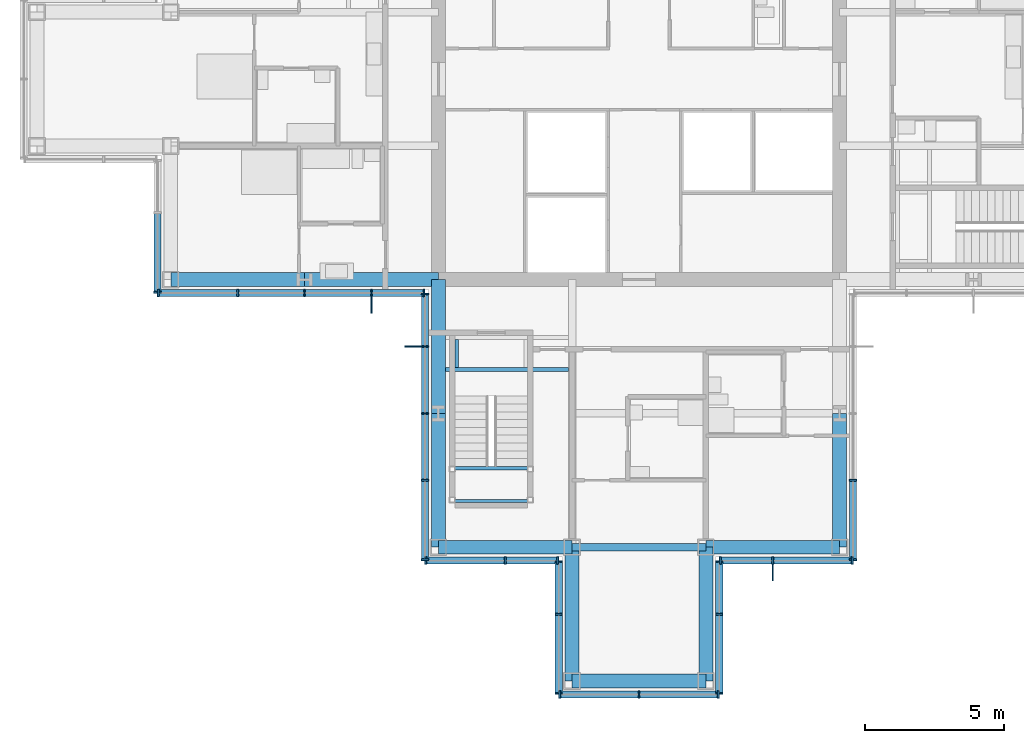
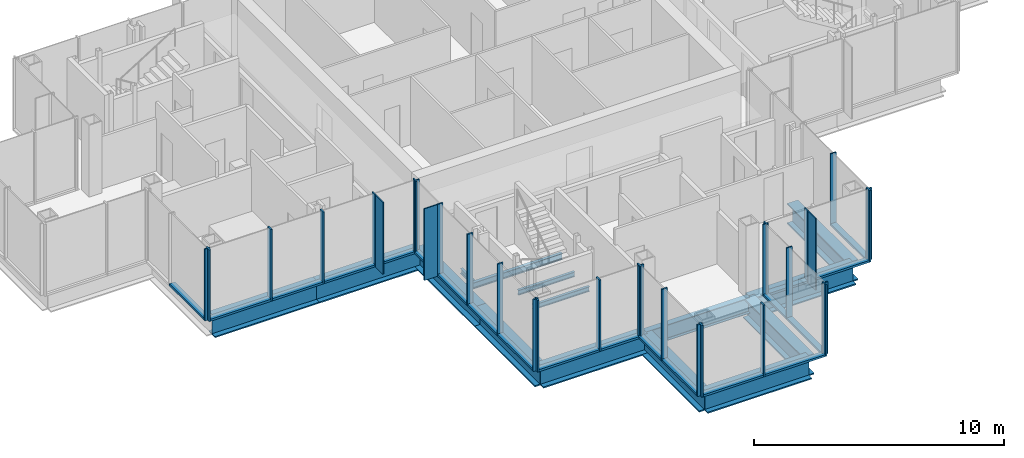
# One storey, part 5 of 15: 51 members, 15 beams, 9 elements without a shape of their own.
"""IFC4 building model written with IfcOpenShell, lengths in metres."""

from ifc_helpers import new_model, si_unit, direction, frame, origin, origin_2d, place, context, subcontext, project, spatial, rectangle, i_section, extrude, material, material_profile, profile_set, type_object, element, aggregate, save


model = new_model("IFC4")

# Units and contexts
model_context = context("Model", 3, precision=1e-05, world=origin(), true_north=direction((0.0, 1.0)))
body_context = subcontext(model_context, "Body", "Model", "MODEL_VIEW")
ifc_project = project(units=[si_unit("LENGTHUNIT", "METRE"), si_unit("AREAUNIT", "SQUARE_METRE"), si_unit("VOLUMEUNIT", "CUBIC_METRE"), si_unit("PLANEANGLEUNIT", "RADIAN"), si_unit("MASSUNIT", "GRAM", prefix="KILO")], contexts=[model_context])

# Site, building, storey
site_placement = place(None, origin())
site = spatial("IfcSite", under=ifc_project, at=site_placement, CompositionType="ELEMENT")
building_placement = place(site_placement, origin())
building = spatial("IfcBuilding", under=site, at=building_placement, Name="Kvirike Care Tower", CompositionType="ELEMENT")
storey_placement = place(building_placement, frame((0.0, 0.0, 212.0)))
storey = spatial("IfcBuildingStorey", under=building, at=storey_placement, Name="L58", CompositionType="ELEMENT", Elevation=212.0)

# Curtain wall, member
ifc_material_1 = material(Name="Anodised aluminium stick system", Category="aluminium")
curtain_wall_type = type_object("IfcCurtainWallType", Name="CW-D STICK CURTAIN WALL", PredefinedType="NOTDEFINED", material=ifc_material_1)
curtain_wall_1_placement = place(storey_placement, origin())
curtain_wall_1 = element("IfcCurtainWall", 1, at=curtain_wall_1_placement, inside=storey, type_object=curtain_wall_type, Name="Curtain wall L58 face 13", PredefinedType="NOTDEFINED")
ifc_material_2 = material(Name="Bronze anodised aluminium fin", Category="aluminium")
ifc_material_profile_1 = material_profile(ifc_material_2, rectangle(XDim=0.050048828125, YDim=0.60009765625, at=origin_2d()), Name="BRONZE FIN 600")
ifc_profile_set_1 = profile_set([ifc_material_profile_1], Name="Bronze anodised aluminium fin")
member_type_1 = type_object("IfcMemberType", Name="BRONZE FIN 600", PredefinedType="USERDEFINED", material=ifc_profile_set_1)
member_1_placement = place(storey_placement, frame((12.0, 27.889892578125, 0.0), z_axis=(0.0, 0.0, 1.0), x_axis=(1.0, 0.0, 0.0)))
member_1 = element("IfcMember", 2, at=member_1_placement, type_object=member_type_1, Name="Bronze fin L58 face 13.4", ObjectType="FIN", PredefinedType="USERDEFINED", context=body_context, shape_type="SweptSolid", body=[
    extrude(rectangle(XDim=0.050048828125, YDim=0.60009765625, at=origin_2d()), origin(), (0.0, 0.0, 1.0), 3.5),
])

curtain_wall_2_placement = place(storey_placement, origin())
curtain_wall_2 = element("IfcCurtainWall", 3, at=curtain_wall_2_placement, inside=storey, type_object=curtain_wall_type, Name="Curtain wall L58 face 14", PredefinedType="NOTDEFINED")
member_2_placement = place(storey_placement, frame((13.489990234375, 26.39990234375, 0.0), z_axis=(0.0, 0.0, 1.0), x_axis=(0.0, -1.0, 0.0)))
member_2 = element("IfcMember", 4, at=member_2_placement, type_object=member_type_1, Name="Bronze fin L58 face 14.2", ObjectType="FIN", PredefinedType="USERDEFINED", context=body_context, shape_type="SweptSolid", body=[
    extrude(rectangle(XDim=0.050048828125, YDim=0.60009765625, at=origin_2d()), origin(), (0.0, 0.0, 1.0), 3.5),
])

curtain_wall_3_placement = place(storey_placement, origin())
curtain_wall_3 = element("IfcCurtainWall", 5, at=curtain_wall_3_placement, inside=storey, type_object=curtain_wall_type, Name="Curtain wall L58 face 19", PredefinedType="NOTDEFINED")
member_3_placement = place(storey_placement, frame((26.39990234375, 18.2900390625, 0.0), z_axis=(0.0, 0.0, 1.0), x_axis=(1.0, 0.0, 0.0)))
member_3 = element("IfcMember", 6, at=member_3_placement, type_object=member_type_1, Name="Bronze fin L58 face 19.2", ObjectType="FIN", PredefinedType="USERDEFINED", context=body_context, shape_type="SweptSolid", body=[
    extrude(rectangle(XDim=0.050048828125, YDim=0.60009765625, at=origin_2d()), origin(), (0.0, 0.0, 1.0), 3.5),
])

curtain_wall_4_placement = place(storey_placement, origin())
curtain_wall_4 = element("IfcCurtainWall", 7, at=curtain_wall_4_placement, inside=storey, type_object=curtain_wall_type, Name="Curtain wall L58 face 12", PredefinedType="NOTDEFINED")
ifc_material_3 = material(Name="Bronze anodised aluminium mullion", Category="aluminium")
ifc_material_profile_2 = material_profile(ifc_material_3, rectangle(XDim=0.06494140625, YDim=0.260009765625, at=origin_2d()), Name="CW-D MULLION 65x260")
ifc_profile_set_2 = profile_set([ifc_material_profile_2], Name="Bronze anodised aluminium mullion")
member_type_2 = type_object("IfcMemberType", Name="CW-D MULLION 65x260", PredefinedType="MULLION", material=ifc_profile_set_2)
member_4_placement = place(storey_placement, frame((4.320068359375, 28.3525390625, 0.0), z_axis=(0.0, 0.0, 1.0), x_axis=(0.0, -1.0, 0.0)))
member_4 = element("IfcMember", 8, at=member_4_placement, type_object=member_type_2, Name="CW-D mullion L58 face 12.3", PredefinedType="MULLION", context=body_context, shape_type="SweptSolid", body=[
    extrude(rectangle(XDim=0.06494140625, YDim=0.260009765625, at=origin_2d()), origin(), (0.0, 0.0, 1.0), 3.5),
])

# Member
member_5_placement = place(storey_placement, frame((4.3525390625, 28.320068359375, 0.0), z_axis=(0.0, 0.0, 1.0), x_axis=(1.0, 0.0, 0.0)))
member_5 = element("IfcMember", 9, at=member_5_placement, type_object=member_type_2, Name="CW-D mullion L58 face 13.1", PredefinedType="MULLION", context=body_context, shape_type="SweptSolid", body=[
    extrude(rectangle(XDim=0.06494140625, YDim=0.260009765625, at=origin_2d()), origin(), (0.0, 0.0, 1.0), 3.5),
])

member_6_placement = place(storey_placement, frame((7.199951171875, 28.320068359375, 0.0), z_axis=(0.0, 0.0, 1.0), x_axis=(1.0, 0.0, 0.0)))
member_6 = element("IfcMember", 10, at=member_6_placement, type_object=member_type_2, Name="CW-D mullion L58 face 13.2", PredefinedType="MULLION", context=body_context, shape_type="SweptSolid", body=[
    extrude(rectangle(XDim=0.06494140625, YDim=0.260009765625, at=origin_2d()), origin(), (0.0, 0.0, 1.0), 3.5),
])

member_7_placement = place(storey_placement, frame((9.60009765625, 28.320068359375, 0.0), z_axis=(0.0, 0.0, 1.0), x_axis=(1.0, 0.0, 0.0)))
member_7 = element("IfcMember", 11, at=member_7_placement, type_object=member_type_2, Name="CW-D mullion L58 face 13.3", PredefinedType="MULLION", context=body_context, shape_type="SweptSolid", body=[
    extrude(rectangle(XDim=0.06494140625, YDim=0.260009765625, at=origin_2d()), origin(), (0.0, 0.0, 1.0), 3.5),
])

member_8_placement = place(storey_placement, frame((12.0, 28.320068359375, 0.0), z_axis=(0.0, 0.0, 1.0), x_axis=(1.0, 0.0, 0.0)))
member_8 = element("IfcMember", 12, at=member_8_placement, type_object=member_type_2, Name="CW-D mullion L58 face 13.4", PredefinedType="MULLION", context=body_context, shape_type="SweptSolid", body=[
    extrude(rectangle(XDim=0.06494140625, YDim=0.260009765625, at=origin_2d()), origin(), (0.0, 0.0, 1.0), 3.5),
])

member_9_placement = place(storey_placement, frame((13.887451171875, 28.320068359375, 0.0), z_axis=(0.0, 0.0, 1.0), x_axis=(1.0, 0.0, 0.0)))
member_9 = element("IfcMember", 13, at=member_9_placement, type_object=member_type_2, Name="CW-D mullion L58 face 13.5", PredefinedType="MULLION", context=body_context, shape_type="SweptSolid", body=[
    extrude(rectangle(XDim=0.06494140625, YDim=0.260009765625, at=origin_2d()), origin(), (0.0, 0.0, 1.0), 3.5),
])

member_10_placement = place(storey_placement, frame((13.919921875, 28.28759765625, 0.0), z_axis=(0.0, 0.0, 1.0), x_axis=(0.0, -1.0, 0.0)))
member_10 = element("IfcMember", 14, at=member_10_placement, type_object=member_type_2, Name="CW-D mullion L58 face 14.1", PredefinedType="MULLION", context=body_context, shape_type="SweptSolid", body=[
    extrude(rectangle(XDim=0.06494140625, YDim=0.260009765625, at=origin_2d()), origin(), (0.0, 0.0, 1.0), 3.5),
])

member_11_placement = place(storey_placement, frame((13.919921875, 26.39990234375, 0.0), z_axis=(0.0, 0.0, 1.0), x_axis=(0.0, -1.0, 0.0)))
member_11 = element("IfcMember", 15, at=member_11_placement, type_object=member_type_2, Name="CW-D mullion L58 face 14.2", PredefinedType="MULLION", context=body_context, shape_type="SweptSolid", body=[
    extrude(rectangle(XDim=0.06494140625, YDim=0.260009765625, at=origin_2d()), origin(), (0.0, 0.0, 1.0), 3.5),
])

member_12_placement = place(storey_placement, frame((13.919921875, 24.0, 0.0), z_axis=(0.0, 0.0, 1.0), x_axis=(0.0, -1.0, 0.0)))
member_12 = element("IfcMember", 16, at=member_12_placement, type_object=member_type_2, Name="CW-D mullion L58 face 14.3", PredefinedType="MULLION", context=body_context, shape_type="SweptSolid", body=[
    extrude(rectangle(XDim=0.06494140625, YDim=0.260009765625, at=origin_2d()), origin(), (0.0, 0.0, 1.0), 3.5),
])

member_13_placement = place(storey_placement, frame((13.919921875, 21.60009765625, 0.0), z_axis=(0.0, 0.0, 1.0), x_axis=(0.0, -1.0, 0.0)))
member_13 = element("IfcMember", 17, at=member_13_placement, type_object=member_type_2, Name="CW-D mullion L58 face 14.4", PredefinedType="MULLION", context=body_context, shape_type="SweptSolid", body=[
    extrude(rectangle(XDim=0.06494140625, YDim=0.260009765625, at=origin_2d()), origin(), (0.0, 0.0, 1.0), 3.5),
])

member_14_placement = place(storey_placement, frame((13.919921875, 18.75244140625, 0.0), z_axis=(0.0, 0.0, 1.0), x_axis=(0.0, -1.0, 0.0)))
member_14 = element("IfcMember", 18, at=member_14_placement, type_object=member_type_2, Name="CW-D mullion L58 face 14.5", PredefinedType="MULLION", context=body_context, shape_type="SweptSolid", body=[
    extrude(rectangle(XDim=0.06494140625, YDim=0.260009765625, at=origin_2d()), origin(), (0.0, 0.0, 1.0), 3.5),
])

# Curtain wall, members
curtain_wall_5_placement = place(storey_placement, origin())
curtain_wall_5 = element("IfcCurtainWall", 19, at=curtain_wall_5_placement, inside=storey, type_object=curtain_wall_type, Name="Curtain wall L58 face 15", PredefinedType="NOTDEFINED")
member_15_placement = place(storey_placement, frame((13.952392578125, 18.719970703125, 0.0), z_axis=(0.0, 0.0, 1.0), x_axis=(1.0, 0.0, 0.0)))
member_15 = element("IfcMember", 20, at=member_15_placement, type_object=member_type_2, Name="CW-D mullion L58 face 15.1", PredefinedType="MULLION", context=body_context, shape_type="SweptSolid", body=[
    extrude(rectangle(XDim=0.06494140625, YDim=0.260009765625, at=origin_2d()), origin(), (0.0, 0.0, 1.0), 3.5),
])
member_16_placement = place(storey_placement, frame((16.800048828125, 18.719970703125, 0.0), z_axis=(0.0, 0.0, 1.0), x_axis=(1.0, 0.0, 0.0)))
member_16 = element("IfcMember", 21, at=member_16_placement, type_object=member_type_2, Name="CW-D mullion L58 face 15.2", PredefinedType="MULLION", context=body_context, shape_type="SweptSolid", body=[
    extrude(rectangle(XDim=0.06494140625, YDim=0.260009765625, at=origin_2d()), origin(), (0.0, 0.0, 1.0), 3.5),
])
member_17_placement = place(storey_placement, frame((18.6875, 18.719970703125, 0.0), z_axis=(0.0, 0.0, 1.0), x_axis=(1.0, 0.0, 0.0)))
member_17 = element("IfcMember", 22, at=member_17_placement, type_object=member_type_2, Name="CW-D mullion L58 face 15.3", PredefinedType="MULLION", context=body_context, shape_type="SweptSolid", body=[
    extrude(rectangle(XDim=0.06494140625, YDim=0.260009765625, at=origin_2d()), origin(), (0.0, 0.0, 1.0), 3.5),
])

curtain_wall_6_placement = place(storey_placement, origin())
curtain_wall_6 = element("IfcCurtainWall", 23, at=curtain_wall_6_placement, inside=storey, type_object=curtain_wall_type, Name="Curtain wall L58 face 16", PredefinedType="NOTDEFINED")
member_18_placement = place(storey_placement, frame((18.719970703125, 18.6875, 0.0), z_axis=(0.0, 0.0, 1.0), x_axis=(0.0, -1.0, 0.0)))
member_18 = element("IfcMember", 24, at=member_18_placement, type_object=member_type_2, Name="CW-D mullion L58 face 16.1", PredefinedType="MULLION", context=body_context, shape_type="SweptSolid", body=[
    extrude(rectangle(XDim=0.06494140625, YDim=0.260009765625, at=origin_2d()), origin(), (0.0, 0.0, 1.0), 3.5),
])
member_19_placement = place(storey_placement, frame((18.719970703125, 16.800048828125, 0.0), z_axis=(0.0, 0.0, 1.0), x_axis=(0.0, -1.0, 0.0)))
member_19 = element("IfcMember", 25, at=member_19_placement, type_object=member_type_2, Name="CW-D mullion L58 face 16.2", PredefinedType="MULLION", context=body_context, shape_type="SweptSolid", body=[
    extrude(rectangle(XDim=0.06494140625, YDim=0.260009765625, at=origin_2d()), origin(), (0.0, 0.0, 1.0), 3.5),
])
member_20_placement = place(storey_placement, frame((18.719970703125, 13.952392578125, 0.0), z_axis=(0.0, 0.0, 1.0), x_axis=(0.0, -1.0, 0.0)))
member_20 = element("IfcMember", 26, at=member_20_placement, type_object=member_type_2, Name="CW-D mullion L58 face 16.3", PredefinedType="MULLION", context=body_context, shape_type="SweptSolid", body=[
    extrude(rectangle(XDim=0.06494140625, YDim=0.260009765625, at=origin_2d()), origin(), (0.0, 0.0, 1.0), 3.5),
])

curtain_wall_7_placement = place(storey_placement, origin())
curtain_wall_7 = element("IfcCurtainWall", 27, at=curtain_wall_7_placement, inside=storey, type_object=curtain_wall_type, Name="Curtain wall L58 face 17", PredefinedType="NOTDEFINED")
member_21_placement = place(storey_placement, frame((18.75244140625, 13.919921875, 0.0), z_axis=(0.0, 0.0, 1.0), x_axis=(1.0, 0.0, 0.0)))
member_21 = element("IfcMember", 28, at=member_21_placement, type_object=member_type_2, Name="CW-D mullion L58 face 17.1", PredefinedType="MULLION", context=body_context, shape_type="SweptSolid", body=[
    extrude(rectangle(XDim=0.06494140625, YDim=0.260009765625, at=origin_2d()), origin(), (0.0, 0.0, 1.0), 3.5),
])
member_22_placement = place(storey_placement, frame((21.60009765625, 13.919921875, 0.0), z_axis=(0.0, 0.0, 1.0), x_axis=(1.0, 0.0, 0.0)))
member_22 = element("IfcMember", 29, at=member_22_placement, type_object=member_type_2, Name="CW-D mullion L58 face 17.2", PredefinedType="MULLION", context=body_context, shape_type="SweptSolid", body=[
    extrude(rectangle(XDim=0.06494140625, YDim=0.260009765625, at=origin_2d()), origin(), (0.0, 0.0, 1.0), 3.5),
])
member_23_placement = place(storey_placement, frame((24.447509765625, 13.919921875, 0.0), z_axis=(0.0, 0.0, 1.0), x_axis=(1.0, 0.0, 0.0)))
member_23 = element("IfcMember", 30, at=member_23_placement, type_object=member_type_2, Name="CW-D mullion L58 face 17.3", PredefinedType="MULLION", context=body_context, shape_type="SweptSolid", body=[
    extrude(rectangle(XDim=0.06494140625, YDim=0.260009765625, at=origin_2d()), origin(), (0.0, 0.0, 1.0), 3.5),
])

curtain_wall_8_placement = place(storey_placement, origin())
curtain_wall_8 = element("IfcCurtainWall", 31, at=curtain_wall_8_placement, inside=storey, type_object=curtain_wall_type, Name="Curtain wall L58 face 18", PredefinedType="NOTDEFINED")
member_24_placement = place(storey_placement, frame((24.47998046875, 13.952392578125, 0.0), z_axis=(0.0, 0.0, 1.0), x_axis=(0.0, 1.0, 0.0)))
member_24 = element("IfcMember", 32, at=member_24_placement, type_object=member_type_2, Name="CW-D mullion L58 face 18.1", PredefinedType="MULLION", context=body_context, shape_type="SweptSolid", body=[
    extrude(rectangle(XDim=0.06494140625, YDim=0.260009765625, at=origin_2d()), origin(), (0.0, 0.0, 1.0), 3.5),
])
member_25_placement = place(storey_placement, frame((24.47998046875, 16.800048828125, 0.0), z_axis=(0.0, 0.0, 1.0), x_axis=(0.0, 1.0, 0.0)))
member_25 = element("IfcMember", 33, at=member_25_placement, type_object=member_type_2, Name="CW-D mullion L58 face 18.2", PredefinedType="MULLION", context=body_context, shape_type="SweptSolid", body=[
    extrude(rectangle(XDim=0.06494140625, YDim=0.260009765625, at=origin_2d()), origin(), (0.0, 0.0, 1.0), 3.5),
])
member_26_placement = place(storey_placement, frame((24.47998046875, 18.6875, 0.0), z_axis=(0.0, 0.0, 1.0), x_axis=(0.0, 1.0, 0.0)))
member_26 = element("IfcMember", 34, at=member_26_placement, type_object=member_type_2, Name="CW-D mullion L58 face 18.3", PredefinedType="MULLION", context=body_context, shape_type="SweptSolid", body=[
    extrude(rectangle(XDim=0.06494140625, YDim=0.260009765625, at=origin_2d()), origin(), (0.0, 0.0, 1.0), 3.5),
])

# Member
member_27_placement = place(storey_placement, frame((24.512451171875, 18.719970703125, 0.0), z_axis=(0.0, 0.0, 1.0), x_axis=(1.0, 0.0, 0.0)))
member_27 = element("IfcMember", 35, at=member_27_placement, type_object=member_type_2, Name="CW-D mullion L58 face 19.1", PredefinedType="MULLION", context=body_context, shape_type="SweptSolid", body=[
    extrude(rectangle(XDim=0.06494140625, YDim=0.260009765625, at=origin_2d()), origin(), (0.0, 0.0, 1.0), 3.5),
])

member_28_placement = place(storey_placement, frame((26.39990234375, 18.719970703125, 0.0), z_axis=(0.0, 0.0, 1.0), x_axis=(1.0, 0.0, 0.0)))
member_28 = element("IfcMember", 36, at=member_28_placement, type_object=member_type_2, Name="CW-D mullion L58 face 19.2", PredefinedType="MULLION", context=body_context, shape_type="SweptSolid", body=[
    extrude(rectangle(XDim=0.06494140625, YDim=0.260009765625, at=origin_2d()), origin(), (0.0, 0.0, 1.0), 3.5),
])

member_29_placement = place(storey_placement, frame((29.24755859375, 18.719970703125, 0.0), z_axis=(0.0, 0.0, 1.0), x_axis=(1.0, 0.0, 0.0)))
member_29 = element("IfcMember", 37, at=member_29_placement, type_object=member_type_2, Name="CW-D mullion L58 face 19.3", PredefinedType="MULLION", context=body_context, shape_type="SweptSolid", body=[
    extrude(rectangle(XDim=0.06494140625, YDim=0.260009765625, at=origin_2d()), origin(), (0.0, 0.0, 1.0), 3.5),
])

# Curtain wall, members
curtain_wall_9_placement = place(storey_placement, origin())
curtain_wall_9 = element("IfcCurtainWall", 38, at=curtain_wall_9_placement, inside=storey, type_object=curtain_wall_type, Name="Curtain wall L58 face 20", PredefinedType="NOTDEFINED")
member_30_placement = place(storey_placement, frame((29.280029296875, 18.75244140625, 0.0), z_axis=(0.0, 0.0, 1.0), x_axis=(0.0, 1.0, 0.0)))
member_30 = element("IfcMember", 39, at=member_30_placement, type_object=member_type_2, Name="CW-D mullion L58 face 20.1", PredefinedType="MULLION", context=body_context, shape_type="SweptSolid", body=[
    extrude(rectangle(XDim=0.06494140625, YDim=0.260009765625, at=origin_2d()), origin(), (0.0, 0.0, 1.0), 3.5),
])
member_31_placement = place(storey_placement, frame((29.280029296875, 21.60009765625, 0.0), z_axis=(0.0, 0.0, 1.0), x_axis=(0.0, 1.0, 0.0)))
member_31 = element("IfcMember", 40, at=member_31_placement, type_object=member_type_2, Name="CW-D mullion L58 face 20.2", PredefinedType="MULLION", context=body_context, shape_type="SweptSolid", body=[
    extrude(rectangle(XDim=0.06494140625, YDim=0.260009765625, at=origin_2d()), origin(), (0.0, 0.0, 1.0), 3.5),
])

# Member
ifc_material_4 = material(Name="Bronze anodised aluminium transom", Category="aluminium")
ifc_material_profile_3 = material_profile(ifc_material_4, rectangle(XDim=0.260009765625, YDim=0.10009765625, at=origin_2d()), Name="CW-D TRANSOM 260x100")
ifc_profile_set_3 = profile_set([ifc_material_profile_3], Name="Bronze anodised aluminium transom")
member_type_3 = type_object("IfcMemberType", Name="CW-D TRANSOM 260x100", PredefinedType="USERDEFINED", material=ifc_profile_set_3)
member_32_placement = place(storey_placement, frame((4.320068359375, 31.16748046875, 0.050048828125), z_axis=(0.0, -1.0, 0.0), x_axis=(1.0, 0.0, 0.0)))
member_32 = element("IfcMember", 41, at=member_32_placement, type_object=member_type_3, Name="CW-D sill transom L58 face 12.2", ObjectType="TRANSOM", PredefinedType="USERDEFINED", context=body_context, shape_type="SweptSolid", body=[
    extrude(rectangle(XDim=0.260009765625, YDim=0.10009765625, at=origin_2d()), origin(), (0.0, 0.0, 1.0), 2.782470703125),
])

aggregate(curtain_wall_4, [member_4, member_32])

member_33_placement = place(storey_placement, frame((4.385009765625, 28.320068359375, 0.050048828125), z_axis=(1.0, 0.0, 0.0), x_axis=(0.0, 1.0, 0.0)))
member_33 = element("IfcMember", 42, at=member_33_placement, type_object=member_type_3, Name="CW-D sill transom L58 face 13.1", ObjectType="TRANSOM", PredefinedType="USERDEFINED", context=body_context, shape_type="SweptSolid", body=[
    extrude(rectangle(XDim=0.260009765625, YDim=0.10009765625, at=origin_2d()), origin(), (0.0, 0.0, 1.0), 2.782470703125),
])

member_34_placement = place(storey_placement, frame((7.232421875, 28.320068359375, 0.050048828125), z_axis=(1.0, 0.0, 0.0), x_axis=(0.0, 1.0, 0.0)))
member_34 = element("IfcMember", 43, at=member_34_placement, type_object=member_type_3, Name="CW-D sill transom L58 face 13.2", ObjectType="TRANSOM", PredefinedType="USERDEFINED", context=body_context, shape_type="SweptSolid", body=[
    extrude(rectangle(XDim=0.260009765625, YDim=0.10009765625, at=origin_2d()), origin(), (0.0, 0.0, 1.0), 2.3349609375),
])

member_35_placement = place(storey_placement, frame((9.632568359375, 28.320068359375, 0.050048828125), z_axis=(1.0, 0.0, 0.0), x_axis=(0.0, 1.0, 0.0)))
member_35 = element("IfcMember", 44, at=member_35_placement, type_object=member_type_3, Name="CW-D sill transom L58 face 13.3", ObjectType="TRANSOM", PredefinedType="USERDEFINED", context=body_context, shape_type="SweptSolid", body=[
    extrude(rectangle(XDim=0.260009765625, YDim=0.10009765625, at=origin_2d()), origin(), (0.0, 0.0, 1.0), 2.3349609375),
])

member_36_placement = place(storey_placement, frame((12.032470703125, 28.320068359375, 0.050048828125), z_axis=(1.0, 0.0, 0.0), x_axis=(0.0, 1.0, 0.0)))
member_36 = element("IfcMember", 45, at=member_36_placement, type_object=member_type_3, Name="CW-D sill transom L58 face 13.4", ObjectType="TRANSOM", PredefinedType="USERDEFINED", context=body_context, shape_type="SweptSolid", body=[
    extrude(rectangle(XDim=0.260009765625, YDim=0.10009765625, at=origin_2d()), origin(), (0.0, 0.0, 1.0), 1.822509765625),
])

aggregate(curtain_wall_1, [member_5, member_6, member_7, member_8, member_1, member_9, member_33, member_34, member_35, member_36])

member_37_placement = place(storey_placement, frame((13.919921875, 28.2548828125, 0.050048828125), z_axis=(0.0, -1.0, 0.0), x_axis=(1.0, 0.0, 0.0)))
member_37 = element("IfcMember", 46, at=member_37_placement, type_object=member_type_3, Name="CW-D sill transom L58 face 14.1", ObjectType="TRANSOM", PredefinedType="USERDEFINED", context=body_context, shape_type="SweptSolid", body=[
    extrude(rectangle(XDim=0.260009765625, YDim=0.10009765625, at=origin_2d()), origin(), (0.0, 0.0, 1.0), 1.822265625),
])

member_38_placement = place(storey_placement, frame((13.919921875, 26.367431640625, 0.050048828125), z_axis=(0.0, -1.0, 0.0), x_axis=(1.0, 0.0, 0.0)))
member_38 = element("IfcMember", 47, at=member_38_placement, type_object=member_type_3, Name="CW-D sill transom L58 face 14.2", ObjectType="TRANSOM", PredefinedType="USERDEFINED", context=body_context, shape_type="SweptSolid", body=[
    extrude(rectangle(XDim=0.260009765625, YDim=0.10009765625, at=origin_2d()), origin(), (0.0, 0.0, 1.0), 2.3349609375),
])

member_39_placement = place(storey_placement, frame((13.919921875, 23.967529296875, 0.050048828125), z_axis=(0.0, -1.0, 0.0), x_axis=(1.0, 0.0, 0.0)))
member_39 = element("IfcMember", 48, at=member_39_placement, type_object=member_type_3, Name="CW-D sill transom L58 face 14.3", ObjectType="TRANSOM", PredefinedType="USERDEFINED", context=body_context, shape_type="SweptSolid", body=[
    extrude(rectangle(XDim=0.260009765625, YDim=0.10009765625, at=origin_2d()), origin(), (0.0, 0.0, 1.0), 2.3349609375),
])

member_40_placement = place(storey_placement, frame((13.919921875, 21.5673828125, 0.050048828125), z_axis=(0.0, -1.0, 0.0), x_axis=(1.0, 0.0, 0.0)))
member_40 = element("IfcMember", 49, at=member_40_placement, type_object=member_type_3, Name="CW-D sill transom L58 face 14.4", ObjectType="TRANSOM", PredefinedType="USERDEFINED", context=body_context, shape_type="SweptSolid", body=[
    extrude(rectangle(XDim=0.260009765625, YDim=0.10009765625, at=origin_2d()), origin(), (0.0, 0.0, 1.0), 2.782470703125),
])

aggregate(curtain_wall_2, [member_10, member_11, member_2, member_12, member_13, member_14, member_37, member_38, member_39, member_40])

member_41_placement = place(storey_placement, frame((13.985107421875, 18.719970703125, 0.050048828125), z_axis=(1.0, 0.0, 0.0), x_axis=(0.0, 1.0, 0.0)))
member_41 = element("IfcMember", 50, at=member_41_placement, type_object=member_type_3, Name="CW-D sill transom L58 face 15.1", ObjectType="TRANSOM", PredefinedType="USERDEFINED", context=body_context, shape_type="SweptSolid", body=[
    extrude(rectangle(XDim=0.260009765625, YDim=0.10009765625, at=origin_2d()), origin(), (0.0, 0.0, 1.0), 2.782470703125),
])

member_42_placement = place(storey_placement, frame((16.83251953125, 18.719970703125, 0.050048828125), z_axis=(1.0, 0.0, 0.0), x_axis=(0.0, 1.0, 0.0)))
member_42 = element("IfcMember", 51, at=member_42_placement, type_object=member_type_3, Name="CW-D sill transom L58 face 15.2", ObjectType="TRANSOM", PredefinedType="USERDEFINED", context=body_context, shape_type="SweptSolid", body=[
    extrude(rectangle(XDim=0.260009765625, YDim=0.10009765625, at=origin_2d()), origin(), (0.0, 0.0, 1.0), 1.822509765625),
])

aggregate(curtain_wall_5, [member_15, member_16, member_17, member_41, member_42])

member_43_placement = place(storey_placement, frame((18.719970703125, 18.655029296875, 0.050048828125), z_axis=(0.0, -1.0, 0.0), x_axis=(1.0, 0.0, 0.0)))
member_43 = element("IfcMember", 52, at=member_43_placement, type_object=member_type_3, Name="CW-D sill transom L58 face 16.1", ObjectType="TRANSOM", PredefinedType="USERDEFINED", context=body_context, shape_type="SweptSolid", body=[
    extrude(rectangle(XDim=0.260009765625, YDim=0.10009765625, at=origin_2d()), origin(), (0.0, 0.0, 1.0), 1.822509765625),
])

member_44_placement = place(storey_placement, frame((18.719970703125, 16.767578125, 0.050048828125), z_axis=(0.0, -1.0, 0.0), x_axis=(1.0, 0.0, 0.0)))
member_44 = element("IfcMember", 53, at=member_44_placement, type_object=member_type_3, Name="CW-D sill transom L58 face 16.2", ObjectType="TRANSOM", PredefinedType="USERDEFINED", context=body_context, shape_type="SweptSolid", body=[
    extrude(rectangle(XDim=0.260009765625, YDim=0.10009765625, at=origin_2d()), origin(), (0.0, 0.0, 1.0), 2.782470703125),
])

aggregate(curtain_wall_6, [member_18, member_19, member_20, member_43, member_44])

member_45_placement = place(storey_placement, frame((18.784912109375, 13.919921875, 0.050048828125), z_axis=(1.0, 0.0, 0.0), x_axis=(0.0, 1.0, 0.0)))
member_45 = element("IfcMember", 54, at=member_45_placement, type_object=member_type_3, Name="CW-D sill transom L58 face 17.1", ObjectType="TRANSOM", PredefinedType="USERDEFINED", context=body_context, shape_type="SweptSolid", body=[
    extrude(rectangle(XDim=0.260009765625, YDim=0.10009765625, at=origin_2d()), origin(), (0.0, 0.0, 1.0), 2.782470703125),
])

member_46_placement = place(storey_placement, frame((21.632568359375, 13.919921875, 0.050048828125), z_axis=(1.0, 0.0, 0.0), x_axis=(0.0, 1.0, 0.0)))
member_46 = element("IfcMember", 55, at=member_46_placement, type_object=member_type_3, Name="CW-D sill transom L58 face 17.2", ObjectType="TRANSOM", PredefinedType="USERDEFINED", context=body_context, shape_type="SweptSolid", body=[
    extrude(rectangle(XDim=0.260009765625, YDim=0.10009765625, at=origin_2d()), origin(), (0.0, 0.0, 1.0), 2.782470703125),
])

aggregate(curtain_wall_7, [member_21, member_22, member_23, member_45, member_46])

member_47_placement = place(storey_placement, frame((24.47998046875, 13.985107421875, 0.050048828125), z_axis=(0.0, 1.0, 0.0), x_axis=(-1.0, 0.0, 0.0)))
member_47 = element("IfcMember", 56, at=member_47_placement, type_object=member_type_3, Name="CW-D sill transom L58 face 18.1", ObjectType="TRANSOM", PredefinedType="USERDEFINED", context=body_context, shape_type="SweptSolid", body=[
    extrude(rectangle(XDim=0.260009765625, YDim=0.10009765625, at=origin_2d()), origin(), (0.0, 0.0, 1.0), 2.782470703125),
])

member_48_placement = place(storey_placement, frame((24.47998046875, 16.83251953125, 0.050048828125), z_axis=(0.0, 1.0, 0.0), x_axis=(-1.0, 0.0, 0.0)))
member_48 = element("IfcMember", 57, at=member_48_placement, type_object=member_type_3, Name="CW-D sill transom L58 face 18.2", ObjectType="TRANSOM", PredefinedType="USERDEFINED", context=body_context, shape_type="SweptSolid", body=[
    extrude(rectangle(XDim=0.260009765625, YDim=0.10009765625, at=origin_2d()), origin(), (0.0, 0.0, 1.0), 1.822509765625),
])

aggregate(curtain_wall_8, [member_24, member_25, member_26, member_47, member_48])

member_49_placement = place(storey_placement, frame((24.544921875, 18.719970703125, 0.050048828125), z_axis=(1.0, 0.0, 0.0), x_axis=(0.0, 1.0, 0.0)))
member_49 = element("IfcMember", 58, at=member_49_placement, type_object=member_type_3, Name="CW-D sill transom L58 face 19.1", ObjectType="TRANSOM", PredefinedType="USERDEFINED", context=body_context, shape_type="SweptSolid", body=[
    extrude(rectangle(XDim=0.260009765625, YDim=0.10009765625, at=origin_2d()), origin(), (0.0, 0.0, 1.0), 1.822509765625),
])

member_50_placement = place(storey_placement, frame((26.4326171875, 18.719970703125, 0.050048828125), z_axis=(1.0, 0.0, 0.0), x_axis=(0.0, 1.0, 0.0)))
member_50 = element("IfcMember", 59, at=member_50_placement, type_object=member_type_3, Name="CW-D sill transom L58 face 19.2", ObjectType="TRANSOM", PredefinedType="USERDEFINED", context=body_context, shape_type="SweptSolid", body=[
    extrude(rectangle(XDim=0.260009765625, YDim=0.10009765625, at=origin_2d()), origin(), (0.0, 0.0, 1.0), 2.782470703125),
])

aggregate(curtain_wall_3, [member_27, member_28, member_3, member_29, member_49, member_50])

member_51_placement = place(storey_placement, frame((29.280029296875, 18.784912109375, 0.050048828125), z_axis=(0.0, 1.0, 0.0), x_axis=(-1.0, 0.0, 0.0)))
member_51 = element("IfcMember", 60, at=member_51_placement, type_object=member_type_3, Name="CW-D sill transom L58 face 20.1", ObjectType="TRANSOM", PredefinedType="USERDEFINED", context=body_context, shape_type="SweptSolid", body=[
    extrude(rectangle(XDim=0.260009765625, YDim=0.10009765625, at=origin_2d()), origin(), (0.0, 0.0, 1.0), 2.782470703125),
])

aggregate(curtain_wall_9, [member_30, member_31, member_51])

# Beams
ifc_material_5 = material(Name="Steel S355", Category="steel")
ifc_material_profile_4 = material_profile(ifc_material_5, i_section(OverallWidth=0.26806640625, OverallDepth=0.77001953125, WebThickness=0.015625, FlangeThickness=0.025390625, FilletRadius=0.01708984375, at=origin_2d()), Name="IPE 750x196")
ifc_profile_set_4 = profile_set([ifc_material_profile_4], Name="Steel S355")
beam_type_1 = type_object("IfcBeamType", Name="FLOOR BEAM IPE 750x196", PredefinedType="BEAM", material=ifc_profile_set_4)
beam_1_placement = place(storey_placement, frame((19.199951171875, 19.199951171875, -0.554931640625), z_axis=(1.0, 0.0, 0.0), x_axis=(0.0, 1.0, 0.0)))
element("IfcBeam", 61, at=beam_1_placement, inside=storey, type_object=beam_type_1, Name="Floor Beam E7-E8 L58", PredefinedType="BEAM", context=body_context, shape_type="SweptSolid", body=[
    extrude(i_section(OverallWidth=0.26806640625, OverallDepth=0.77001953125, WebThickness=0.015625, FlangeThickness=0.025390625, FilletRadius=0.01708984375, at=origin_2d()), origin(), (0.0, 0.0, 1.0), 4.800048828125),
])
ifc_material_6 = material(Name="Steel S355", Category="steel")
ifc_material_profile_5 = material_profile(ifc_material_6, i_section(OverallWidth=0.5, OverallDepth=1.0, WebThickness=0.030029296875, FlangeThickness=0.06005859375, at=origin_2d()), Name="PG 1000x500x30x60")
ifc_profile_set_5 = profile_set([ifc_material_profile_5], Name="Steel S355")
beam_type_2 = type_object("IfcBeamType", Name="SPANDREL PG 1000x500x30x60", PredefinedType="SPANDREL", material=ifc_profile_set_5)
for number, where, z_axis, x_axis, name in (
    (62, (19.199951171875, 14.39990234375, -0.669921875), (1.0, 0.0, 0.0), (0.0, 1.0, 0.0), "Spandrel D7-D8 L58"),
    (63, (14.39990234375, 19.199951171875, -0.669921875), (1.0, 0.0, 0.0), (0.0, 1.0, 0.0), "Spandrel E6-E7 L58"),
    (64, (24.0, 19.199951171875, -0.669921875), (1.0, 0.0, 0.0), (0.0, 1.0, 0.0), "Spandrel E8-E9 L58"),
    (65, (4.800048828125, 28.800048828125, -0.669921875), (1.0, 0.0, 0.0), (0.0, 1.0, 0.0), "Spandrel G4-G5 L58"),
):
    element("IfcBeam", number, at=place(storey_placement, frame(where, z_axis=z_axis, x_axis=x_axis)), inside=storey, type_object=beam_type_2, Name=name, PredefinedType="SPANDREL", context=body_context, shape_type="SweptSolid", body=[
        extrude(i_section(OverallWidth=0.5, OverallDepth=1.0, WebThickness=0.030029296875, FlangeThickness=0.06005859375, at=origin_2d()), origin(), (0.0, 0.0, 1.0), 4.800048828125),
    ])
beam_2_placement = place(storey_placement, frame((9.60009765625, 28.800048828125, -0.669921875), z_axis=(1.0, 0.0, 0.0), x_axis=(0.0, 1.0, 0.0)))
element("IfcBeam", 66, at=beam_2_placement, inside=storey, type_object=beam_type_2, Name="Spandrel G5-G6 L58", PredefinedType="SPANDREL", context=body_context, shape_type="SweptSolid", body=[
    extrude(i_section(OverallWidth=0.5, OverallDepth=1.0, WebThickness=0.030029296875, FlangeThickness=0.06005859375, at=origin_2d()), origin(), (0.0, 0.0, 1.0), 4.7998046875),
])
for number, where, z_axis, x_axis, name in (
    (67, (14.39990234375, 19.199951171875, -0.669921875), (0.0, 1.0, 0.0), (-1.0, 0.0, 0.0), "Spandrel E6-F6 L58"),
    (68, (14.39990234375, 24.0, -0.669921875), (0.0, 1.0, 0.0), (-1.0, 0.0, 0.0), "Spandrel F6-G6 L58"),
    (69, (19.199951171875, 14.39990234375, -0.669921875), (0.0, 1.0, 0.0), (-1.0, 0.0, 0.0), "Spandrel D7-E7 L58"),
    (70, (24.0, 14.39990234375, -0.669921875), (0.0, 1.0, 0.0), (-1.0, 0.0, 0.0), "Spandrel D8-E8 L58"),
    (71, (28.800048828125, 19.199951171875, -0.669921875), (0.0, 1.0, 0.0), (-1.0, 0.0, 0.0), "Spandrel E9-F9 L58"),
):
    element("IfcBeam", number, at=place(storey_placement, frame(where, z_axis=z_axis, x_axis=x_axis)), inside=storey, type_object=beam_type_2, Name=name, PredefinedType="SPANDREL", context=body_context, shape_type="SweptSolid", body=[
        extrude(i_section(OverallWidth=0.5, OverallDepth=1.0, WebThickness=0.030029296875, FlangeThickness=0.06005859375, at=origin_2d()), origin(), (0.0, 0.0, 1.0), 4.800048828125),
    ])
ifc_material_7 = material(Name="Steel S355", Category="steel")
ifc_material_profile_6 = material_profile(ifc_material_7, i_section(OverallWidth=0.1201171875, OverallDepth=0.239990234375, WebThickness=0.006103515625, FlangeThickness=0.009765625, FilletRadius=0.014892578125, at=origin_2d()), Name="IPE 240")
ifc_profile_set_6 = profile_set([ifc_material_profile_6], Name="Steel S355")
beam_type_3 = type_object("IfcBeamType", Name="STAIR LANDING BEAM IPE 240", PredefinedType="BEAM", material=ifc_profile_set_6)
for number, where, z_axis, x_axis, name in (
    (72, (15.0, 20.860107421875, 1.429931640625), (1.0, 0.0, 0.0), (0.0, 1.0, 0.0), "Stair 5 landing beam back L58"),
    (73, (15.0, 22.0400390625, 1.429931640625), (1.0, 0.0, 0.0), (0.0, 1.0, 0.0), "Stair 5 landing beam front L58"),
):
    element("IfcBeam", number, at=place(storey_placement, frame(where, z_axis=z_axis, x_axis=x_axis)), inside=storey, type_object=beam_type_3, Name=name, PredefinedType="BEAM", context=body_context, shape_type="SweptSolid", body=[
        extrude(i_section(OverallWidth=0.1201171875, OverallDepth=0.239990234375, WebThickness=0.006103515625, FlangeThickness=0.009765625, FilletRadius=0.014892578125, at=origin_2d()), origin(), (0.0, 0.0, 1.0), 2.60009765625),
    ])
beam_3_placement = place(storey_placement, frame((15.06005859375, 25.64990234375, -0.320068359375), z_axis=(0.0, 1.0, 0.0), x_axis=(-1.0, 0.0, 0.0)))
element("IfcBeam", 74, at=beam_3_placement, inside=storey, type_object=beam_type_3, Name="Stair 5 landing edge beam 1 L58", PredefinedType="BEAM", context=body_context, shape_type="SweptSolid", body=[
    extrude(i_section(OverallWidth=0.1201171875, OverallDepth=0.239990234375, WebThickness=0.006103515625, FlangeThickness=0.009765625, FilletRadius=0.014892578125, at=origin_2d()), origin(), (0.0, 0.0, 1.0), 1.0),
])
ifc_material_8 = material(Name="Steel S355", Category="steel")
ifc_material_profile_7 = material_profile(ifc_material_8, i_section(OverallWidth=0.14990234375, OverallDepth=0.300048828125, WebThickness=0.007080078125, FlangeThickness=0.0107421875, FilletRadius=0.014892578125, at=origin_2d()), Name="IPE 300")
ifc_profile_set_7 = profile_set([ifc_material_profile_7], Name="Steel S355")
beam_type_4 = type_object("IfcBeamType", Name="STAIR TRIMMER IPE 300", PredefinedType="BEAM", material=ifc_profile_set_7)
beam_4_placement = place(storey_placement, frame((14.64990234375, 25.574951171875, -0.35009765625), z_axis=(1.0, 0.0, 0.0), x_axis=(0.0, 1.0, 0.0)))
element("IfcBeam", 75, at=beam_4_placement, inside=storey, type_object=beam_type_4, Name="Stair 5 trimmer 1 L58", PredefinedType="BEAM", context=body_context, shape_type="SweptSolid", body=[
    extrude(i_section(OverallWidth=0.14990234375, OverallDepth=0.300048828125, WebThickness=0.007080078125, FlangeThickness=0.0107421875, FilletRadius=0.014892578125, at=origin_2d()), origin(), (0.0, 0.0, 1.0), 4.416015625),
])

save(model, "model.ifc")
